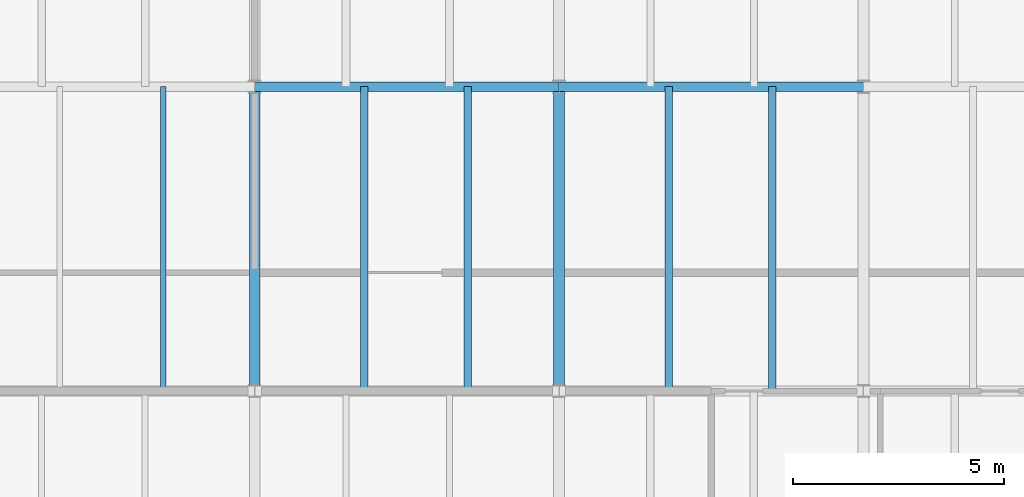
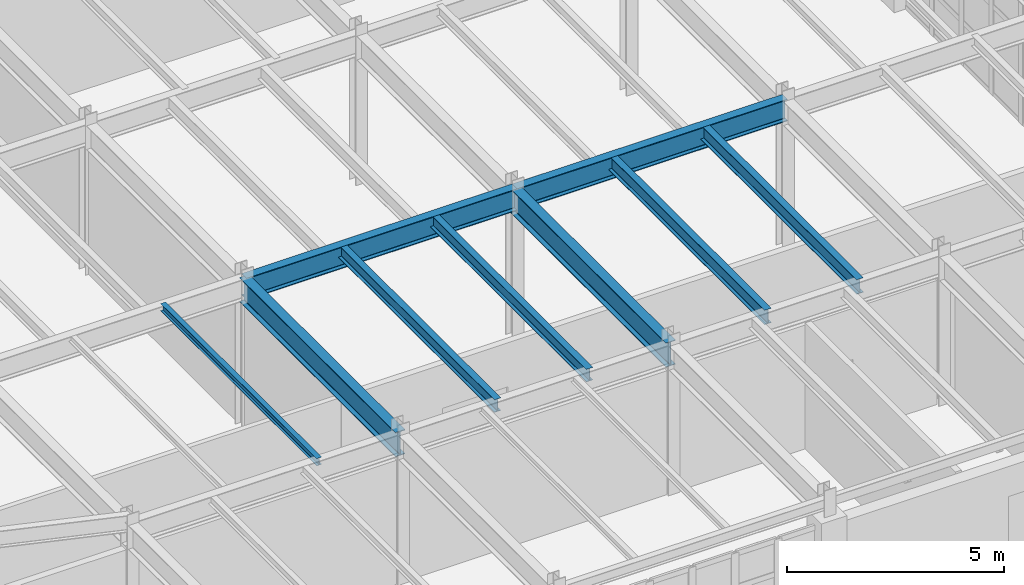
# One storey, part 93 of 137: 9 beams.
"""IFC4 building model written with IfcOpenShell, lengths in metres."""

from ifc_helpers import new_model, si_unit, direction, frame, origin, origin_2d, place, context, subcontext, project, spatial, i_section, extrude, material, material_profile, profile_set, type_object, element, save


model = new_model("IFC4")

# Units and contexts
model_context = context("Model", 3, precision=1e-05, world=origin(), true_north=direction((0.0, 1.0)))
body_context = subcontext(model_context, "Body", "Model", "MODEL_VIEW")
ifc_project = project(units=[si_unit("LENGTHUNIT", "METRE"), si_unit("AREAUNIT", "SQUARE_METRE"), si_unit("VOLUMEUNIT", "CUBIC_METRE"), si_unit("PLANEANGLEUNIT", "RADIAN"), si_unit("MASSUNIT", "GRAM", prefix="KILO")], contexts=[model_context])

# Site, building, storey
site_placement = place(None, origin())
site = spatial("IfcSite", under=ifc_project, at=site_placement, CompositionType="ELEMENT")
building_placement = place(site_placement, origin())
building = spatial("IfcBuilding", under=site, at=building_placement, Name="Kemerveld Promenade Tramway Depot", CompositionType="ELEMENT")
storey_placement = place(building_placement, frame((0.0, 0.0, 5.39990234375)))
storey = spatial("IfcBuildingStorey", under=building, at=storey_placement, Name="L01", CompositionType="ELEMENT", Elevation=5.39990234375)

# Beams
ifc_material = material(Name="Steel S355", Category="steel")
ifc_material_profile_1 = material_profile(ifc_material, i_section(OverallWidth=0.25439453125, OverallDepth=0.6875, WebThickness=0.01318359375, FlangeThickness=0.02099609375, FilletRadius=0.01513671875, at=origin_2d()), Name="686x254x152 UB")
ifc_profile_set_1 = profile_set([ifc_material_profile_1], Name="Steel S355")
beam_type_1 = type_object("IfcBeamType", Name="BM-G03", PredefinedType="BEAM", material=ifc_profile_set_1)
for number, where, z_axis, x_axis, name in (
    (1, (194.39990234375, 7.199951171875, 3.856201171875), (0.0, 1.0, 0.0), (-1.0, 0.0, 0.0), "BMY-L01-28-B-C"),
    (2, (201.60009765625, 7.199951171875, 3.856201171875), (0.0, 1.0, 0.0), (-1.0, 0.0, 0.0), "BMY-L01-29-B-C"),
):
    element("IfcBeam", number, at=place(storey_placement, frame(where, z_axis=z_axis, x_axis=x_axis)), inside=storey, type_object=beam_type_1, Name=name, PredefinedType="BEAM", context=body_context, shape_type="SweptSolid", body=[
        extrude(i_section(OverallWidth=0.25439453125, OverallDepth=0.6875, WebThickness=0.01318359375, FlangeThickness=0.02099609375, FilletRadius=0.01513671875, at=origin_2d()), origin(), (0.0, 0.0, 1.0), 7.199951171875),
    ])
ifc_material_profile_2 = material_profile(ifc_material, i_section(OverallWidth=0.22900390625, OverallDepth=0.6123046875, WebThickness=0.011962890625, FlangeThickness=0.01953125, FilletRadius=0.0126953125, at=origin_2d()), Name="610x229x125 UB")
ifc_profile_set_2 = profile_set([ifc_material_profile_2], Name="Steel S355")
beam_type_2 = type_object("IfcBeamType", Name="BM-G04", PredefinedType="BEAM", material=ifc_profile_set_2)
beam_1_placement = place(storey_placement, frame((194.39990234375, 14.39990234375, 3.89404296875), z_axis=(1.0, 0.0, 0.0), x_axis=(0.0, 1.0, 0.0)))
element("IfcBeam", 3, at=beam_1_placement, inside=storey, type_object=beam_type_2, Name="BMX-L01-28-29-C", PredefinedType="BEAM", context=body_context, shape_type="SweptSolid", body=[
    extrude(i_section(OverallWidth=0.22900390625, OverallDepth=0.6123046875, WebThickness=0.011962890625, FlangeThickness=0.01953125, FilletRadius=0.0126953125, at=origin_2d()), origin(), (0.0, 0.0, 1.0), 7.2001953125),
])
beam_2_placement = place(storey_placement, frame((201.60009765625, 14.39990234375, 3.89404296875), z_axis=(1.0, 0.0, 0.0), x_axis=(0.0, 1.0, 0.0)))
element("IfcBeam", 4, at=beam_2_placement, inside=storey, type_object=beam_type_2, Name="BMX-L01-29-30-C", PredefinedType="BEAM", context=body_context, shape_type="SweptSolid", body=[
    extrude(i_section(OverallWidth=0.22900390625, OverallDepth=0.6123046875, WebThickness=0.011962890625, FlangeThickness=0.01953125, FilletRadius=0.0126953125, at=origin_2d()), origin(), (0.0, 0.0, 1.0), 7.199951171875),
])
ifc_material_profile_3 = material_profile(ifc_material, i_section(OverallWidth=0.13330078125, OverallDepth=0.203125, WebThickness=0.005615234375, FlangeThickness=0.0078125, FilletRadius=0.007568359375, at=origin_2d()), Name="203x133x25 UB")
ifc_profile_set_3 = profile_set([ifc_material_profile_3], Name="Steel S355")
beam_type_3 = type_object("IfcBeamType", Name="BM-J03", PredefinedType="JOIST", material=ifc_profile_set_3)
beam_3_placement = place(storey_placement, frame((192.239990234375, 7.199951171875, 4.098388671875), z_axis=(0.0, 1.0, 0.0), x_axis=(-1.0, 0.0, 0.0)))
element("IfcBeam", 5, at=beam_3_placement, inside=storey, type_object=beam_type_3, Name="JST-L01-27-B-2", PredefinedType="JOIST", context=body_context, shape_type="SweptSolid", body=[
    extrude(i_section(OverallWidth=0.13330078125, OverallDepth=0.203125, WebThickness=0.005615234375, FlangeThickness=0.0078125, FilletRadius=0.007568359375, at=origin_2d()), origin(), (0.0, 0.0, 1.0), 7.199951171875),
])
ifc_material_profile_4 = material_profile(ifc_material, i_section(OverallWidth=0.172119140625, OverallDepth=0.35791015625, WebThickness=0.008056640625, FlangeThickness=0.012939453125, FilletRadius=0.01025390625, at=origin_2d()), Name="356x171x57 UB")
ifc_profile_set_4 = profile_set([ifc_material_profile_4], Name="Steel S355")
beam_type_4 = type_object("IfcBeamType", Name="BM-J04", PredefinedType="JOIST", material=ifc_profile_set_4)
for number, where, z_axis, x_axis, name in (
    (6, (196.991943359375, 7.199951171875, 4.02099609375), (0.0, 1.0, 0.0), (-1.0, 0.0, 0.0), "JST-L01-28-B-1"),
    (7, (199.43994140625, 7.199951171875, 4.02099609375), (0.0, 1.0, 0.0), (-1.0, 0.0, 0.0), "JST-L01-28-B-2"),
):
    element("IfcBeam", number, at=place(storey_placement, frame(where, z_axis=z_axis, x_axis=x_axis)), inside=storey, type_object=beam_type_4, Name=name, PredefinedType="JOIST", context=body_context, shape_type="SweptSolid", body=[
        extrude(i_section(OverallWidth=0.172119140625, OverallDepth=0.35791015625, WebThickness=0.008056640625, FlangeThickness=0.012939453125, FilletRadius=0.01025390625, at=origin_2d()), origin(), (0.0, 0.0, 1.0), 7.199951171875),
    ])
ifc_material_profile_5 = material_profile(ifc_material, i_section(OverallWidth=0.1787109375, OverallDepth=0.409423828125, WebThickness=0.0087890625, FlangeThickness=0.014404296875, FilletRadius=0.01025390625, at=origin_2d()), Name="406x178x67 UB")
ifc_profile_set_5 = profile_set([ifc_material_profile_5], Name="Steel S355")
beam_type_5 = type_object("IfcBeamType", Name="BM-J05", PredefinedType="JOIST", material=ifc_profile_set_5)
for number, where, z_axis, x_axis, name in (
    (8, (204.19189453125, 7.199951171875, 3.995361328125), (0.0, 1.0, 0.0), (-1.0, 0.0, 0.0), "JST-L01-29-B-1"),
    (9, (206.639892578125, 7.199951171875, 3.995361328125), (0.0, 1.0, 0.0), (-1.0, 0.0, 0.0), "JST-L01-29-B-2"),
):
    element("IfcBeam", number, at=place(storey_placement, frame(where, z_axis=z_axis, x_axis=x_axis)), inside=storey, type_object=beam_type_5, Name=name, PredefinedType="JOIST", context=body_context, shape_type="SweptSolid", body=[
        extrude(i_section(OverallWidth=0.1787109375, OverallDepth=0.409423828125, WebThickness=0.0087890625, FlangeThickness=0.014404296875, FilletRadius=0.01025390625, at=origin_2d()), origin(), (0.0, 0.0, 1.0), 7.199951171875),
    ])

save(model, "model.ifc")
